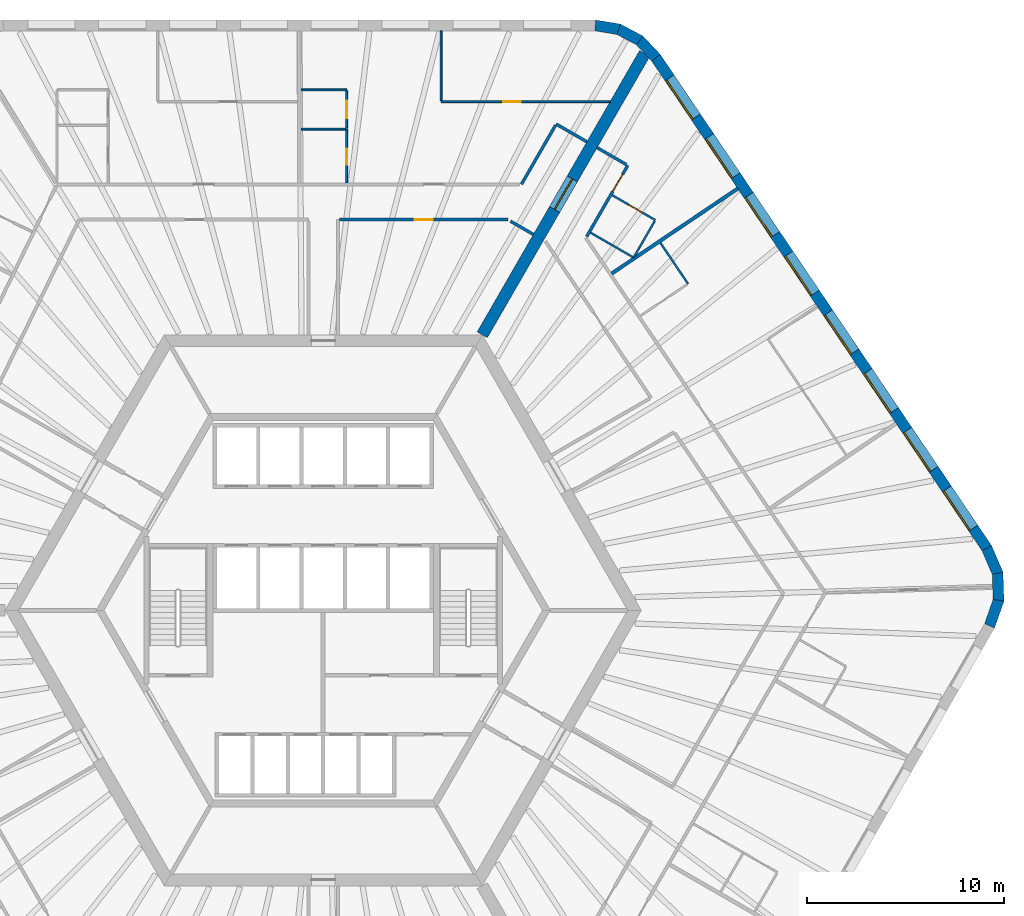
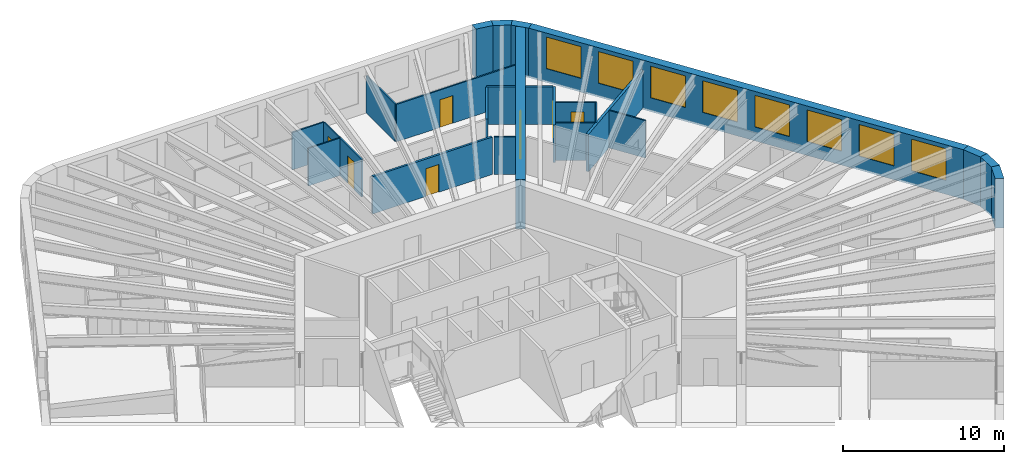
# One storey, part 10 of 12: 25 walls, 8 windows, 7 doors, 15 openings.
"""IFC4 building model written with IfcOpenShell, lengths in metres."""

from ifc_helpers import new_model, si_unit, direction, frame, frame_2d, origin, place, context, subcontext, project, spatial, polyline, rectangle, outline, extrude, material, layer, layer_set, type_object, element, fill, save


model = new_model("IFC4")

# Units and contexts
model_context = context("Model", 3, precision=1e-05, world=origin(), true_north=direction((0.0, 1.0)))
body_context = subcontext(model_context, "Body", "Model", "MODEL_VIEW")
ifc_project = project(units=[si_unit("LENGTHUNIT", "METRE"), si_unit("AREAUNIT", "SQUARE_METRE"), si_unit("VOLUMEUNIT", "CUBIC_METRE"), si_unit("PLANEANGLEUNIT", "RADIAN"), si_unit("MASSUNIT", "GRAM", prefix="KILO")], contexts=[model_context])

# Site, building, storey
site_placement = place(None, origin())
site = spatial("IfcSite", under=ifc_project, at=site_placement, CompositionType="ELEMENT")
building_placement = place(site_placement, origin())
building = spatial("IfcBuilding", under=site, at=building_placement, Name="Tarnside Tower", CompositionType="ELEMENT")
storey_placement = place(building_placement, frame((0.0, 0.0, 142.800048828125)))
storey = spatial("IfcBuildingStorey", under=building, at=storey_placement, Name="L33", CompositionType="ELEMENT", Elevation=142.800048828125)

# Wall, opening, door
ifc_material_1 = material(Name="Gypsum board partition on steel studs", Category="steel")
ifc_layer_1 = layer(ifc_material_1, 0.10009765625)
ifc_layer_set_1 = layer_set([ifc_layer_1], Name="Bathroom wall 100")
wall_type_1 = type_object("IfcWallType", Name="Bathroom wall 100", PredefinedType="PARTITIONING", material=ifc_layer_set_1)
wall_1_placement = place(storey_placement, frame((1.18896484375, 24.449951171875, 0.0), z_axis=(0.0, 0.0, 1.0), x_axis=(0.0, -1.0, 0.0)))
wall_1 = element("IfcWall", 1, at=wall_1_placement, inside=storey, type_object=wall_type_1, Name="Bathroom wall 10076", PredefinedType="PARTITIONING", context=body_context, shape_type="SweptSolid", body=[
    extrude(rectangle(XDim=2.724853515625, YDim=0.10009765625, at=frame_2d((1.3623046875, 0.0))), origin(), (0.0, 0.0, 1.0), 2.837646484375),
])
opening_1_placement = place(wall_1_placement, frame((1.0, 0.0, 0.0)))
opening_1 = element("IfcOpeningElement", 2, at=opening_1_placement, cuts=wall_1, Name="Opening D-B1", PredefinedType="OPENING", context=body_context, shape_type="SweptSolid", body=[
    extrude(rectangle(XDim=0.800048828125, YDim=2.10009765625, at=frame_2d((0.39990234375, 1.050048828125))), frame((0.0, 0.06005859375, 0.0), z_axis=(0.0, -1.0, 0.0), x_axis=(1.0, 0.0, 0.0)), (0.0, 0.0, 1.0), 0.1201171875),
])
ifc_material_2 = material(Name="Timber door leaf", Category="wood")
door_type_1 = type_object("IfcDoorType", Name="Bathroom door 800", OperationType="NOTDEFINED", PredefinedType="DOOR", material=ifc_material_2)
door_1_placement = place(opening_1_placement, origin())
door_1 = element("IfcDoor", 3, at=door_1_placement, inside=storey, type_object=door_type_1, Name="Bathroom door 10002", OperationType="SINGLE_SWING_LEFT", OverallHeight=2.10009765625, OverallWidth=0.800048828125, PredefinedType="DOOR", context=body_context, shape_type="SweptSolid", body=[
    extrude(rectangle(XDim=0.800048828125, YDim=2.10009765625, at=frame_2d((0.39990234375, 1.050048828125))), frame((0.0, 0.02490234375, 0.0), z_axis=(0.0, -1.0, 0.0), x_axis=(1.0, 0.0, 0.0)), (0.0, 0.0, 1.0), 0.050048828125),
])
fill(opening_1, door_1)

# Walls
wall_2_placement = place(storey_placement, frame((1.138916015625, 24.449951171875, 0.0), z_axis=(0.0, 0.0, 1.0), x_axis=(-1.0, 0.0, 0.0)))
element("IfcWall", 4, at=wall_2_placement, inside=storey, type_object=wall_type_1, Name="Bathroom wall 10082", PredefinedType="PARTITIONING", context=body_context, shape_type="SweptSolid", body=[
    extrude(rectangle(XDim=2.260009765625, YDim=0.10009765625, at=frame_2d((1.1298828125, 0.0))), origin(), (0.0, 0.0, 1.0), 2.837646484375),
])
wall_3_placement = place(storey_placement, frame((17.13720703125, 18.674560546875, 0.0), z_axis=(0.0, 0.0, 1.0), x_axis=(0.559203861497, -0.829030181168, 0.0)))
element("IfcWall", 5, at=wall_3_placement, inside=storey, type_object=wall_type_1, Name="Bathroom wall 10149", PredefinedType="PARTITIONING", context=body_context, shape_type="SweptSolid", body=[
    extrude(rectangle(XDim=2.510009765625, YDim=0.10009765625, at=frame_2d((1.2548828125, 0.0))), origin(), (0.0, 0.0, 1.0), 2.837646484375),
])

# Wall, opening, door
wall_4_placement = place(storey_placement, frame((14.6904296875, 21.094482421875, 0.0), z_axis=(0.0, 0.0, 1.0), x_axis=(0.866039067339, -0.499976333282, 0.0)))
wall_4 = element("IfcWall", 6, at=wall_4_placement, inside=storey, type_object=wall_type_1, Name="Bathroom wall 10155", PredefinedType="PARTITIONING", context=body_context, shape_type="SweptSolid", body=[
    extrude(rectangle(XDim=2.52490234375, YDim=0.10009765625, at=frame_2d((1.262451171875, 0.0))), origin(), (0.0, 0.0, 1.0), 2.837646484375),
])
opening_2_placement = place(wall_4_placement, frame((0.955078125, 0.0, 0.0)))
opening_2 = element("IfcOpeningElement", 7, at=opening_2_placement, cuts=wall_4, Name="Opening D-B1", PredefinedType="OPENING", context=body_context, shape_type="SweptSolid", body=[
    extrude(rectangle(XDim=0.800048828125, YDim=2.10009765625, at=frame_2d((0.39990234375, 1.050048828125))), frame((0.0, 0.06005859375, 0.0), z_axis=(0.0, -1.0, 0.0), x_axis=(1.0, 0.0, 0.0)), (0.0, 0.0, 1.0), 0.1201171875),
])
door_2_placement = place(opening_2_placement, origin())
door_2 = element("IfcDoor", 8, at=door_2_placement, inside=storey, type_object=door_type_1, Name="Bathroom door 10041", OperationType="SINGLE_SWING_LEFT", OverallHeight=2.10009765625, OverallWidth=0.800048828125, PredefinedType="DOOR", context=body_context, shape_type="SweptSolid", body=[
    extrude(rectangle(XDim=0.800048828125, YDim=2.10009765625, at=frame_2d((0.39990234375, 1.050048828125))), frame((0.0, 0.02490234375, 0.0), z_axis=(0.0, -1.0, 0.0), x_axis=(1.0, 0.0, 0.0)), (0.0, 0.0, 1.0), 0.050048828125),
])
fill(opening_2, door_2)

# Walls
wall_5_placement = place(storey_placement, frame((16.85205078125, 19.788818359375, 0.0), z_axis=(0.0, 0.0, 1.0), x_axis=(-0.499961633463, -0.866047553582, 0.0)))
element("IfcWall", 9, at=wall_5_placement, inside=storey, type_object=wall_type_1, Name="Bathroom wall 10156", PredefinedType="PARTITIONING", context=body_context, shape_type="SweptSolid", body=[
    extrude(rectangle(XDim=2.150146484375, YDim=0.10009765625, at=frame_2d((1.0751953125, 0.0))), origin(), (0.0, 0.0, 1.0), 2.837646484375),
])
wall_6_placement = place(storey_placement, frame((15.73388671875, 17.95166015625, 0.0), z_axis=(0.0, 0.0, 1.0), x_axis=(-0.866031185235, 0.4999899861, 0.0)))
element("IfcWall", 10, at=wall_6_placement, inside=storey, type_object=wall_type_1, Name="Bathroom wall 10157", PredefinedType="PARTITIONING", context=body_context, shape_type="SweptSolid", body=[
    extrude(rectangle(XDim=2.47509765625, YDim=0.10009765625, at=frame_2d((1.237548828125, 0.0))), origin(), (0.0, 0.0, 1.0), 2.837646484375),
])

# Wall, opening, door
ifc_material_3 = material(Name="Concrete C80/95", Category="concrete")
ifc_layer_2 = layer(ifc_material_3, 0.60009765625)
ifc_layer_set_2 = layer_set([ifc_layer_2], Name="Core wall Z1 600 C80/95")
wall_type_2 = type_object("IfcWallType", Name="Core wall Z1 600 C80/95", PredefinedType="SHEAR", material=ifc_layer_set_2)
wall_7_placement = place(storey_placement, frame((8.0830078125, 14.0, -0.150146484375), z_axis=(0.0, 0.0, 1.0), x_axis=(0.499997680643, 0.866026742862, 0.0)))
wall_7 = element("IfcWall", 11, at=wall_7_placement, inside=storey, type_object=wall_type_2, Name="L33 spine wall 1", PredefinedType="SHEAR", context=body_context, shape_type="SweptSolid", body=[
    extrude(rectangle(XDim=16.5087890625, YDim=0.60009765625, at=frame_2d((8.25439453125, 0.0))), origin(), (0.0, 0.0, 1.0), 3.75),
])
opening_3_placement = place(wall_7_placement, frame((7.3544921875, 0.0, 0.14990234375)))
opening_3 = element("IfcOpeningElement", 12, at=opening_3_placement, cuts=wall_7, Name="Opening CD-SPN", PredefinedType="OPENING", context=body_context, shape_type="SweptSolid", body=[
    extrude(rectangle(XDim=1.800048828125, YDim=2.39990234375, at=frame_2d((0.89990234375, 1.199951171875))), frame((0.0, 0.31005859375, 0.0), z_axis=(0.0, -1.0, 0.0), x_axis=(1.0, 0.0, 0.0)), (0.0, 0.0, 1.0), 0.6201171875),
])
ifc_material_4 = material(Name="Steel fire door", Category="steel")
door_type_2 = type_object("IfcDoorType", Name="Spine passage double door FD60 1800x2400", OperationType="NOTDEFINED", PredefinedType="DOOR", material=ifc_material_4)
door_3_placement = place(opening_3_placement, origin())
door_3 = element("IfcDoor", 13, at=door_3_placement, inside=storey, type_object=door_type_2, Name="L33 spine passage door 1", OperationType="DOUBLE_DOOR_SINGLE_SWING", OverallHeight=2.39990234375, OverallWidth=1.800048828125, PredefinedType="DOOR", context=body_context, shape_type="SweptSolid", body=[
    extrude(rectangle(XDim=1.800048828125, YDim=2.39990234375, at=frame_2d((0.89990234375, 1.199951171875))), frame((0.0, 0.02490234375, 0.0), z_axis=(0.0, -1.0, 0.0), x_axis=(1.0, 0.0, 0.0)), (0.0, 0.0, 1.0), 0.050048828125),
])
fill(opening_3, door_3)

# Walls
ifc_layer_3 = layer(ifc_material_1, 0.14990234375)
ifc_layer_set_3 = layer_set([ifc_layer_3], Name="Corridor wall 150 EI 60")
wall_type_3 = type_object("IfcWallType", Name="Corridor wall 150 EI 60", PredefinedType="PARTITIONING", material=ifc_layer_set_3)
wall_8_placement = place(storey_placement, frame((13.400390625, 23.81005859375, 0.0), z_axis=(0.0, 0.0, 1.0), x_axis=(-0.865989075817, 0.500062916607, 0.0)))
element("IfcWall", 14, at=wall_8_placement, inside=storey, type_object=wall_type_3, Name="Corridor wall 10001", PredefinedType="PARTITIONING", context=body_context, shape_type="SweptSolid", body=[
    extrude(rectangle(XDim=1.800048828125, YDim=0.14990234375, at=frame_2d((0.89990234375, 0.0))), origin(), (0.0, 0.0, 1.0), 2.837646484375),
])
wall_9_placement = place(storey_placement, frame((11.803955078125, 24.64501953125, 0.0), z_axis=(0.0, 0.0, 1.0), x_axis=(-0.500003541824, -0.866023358902, 0.0)))
element("IfcWall", 15, at=wall_9_placement, inside=storey, type_object=wall_type_3, Name="Corridor wall 10002", PredefinedType="PARTITIONING", context=body_context, shape_type="SweptSolid", body=[
    extrude(rectangle(XDim=3.45849609375, YDim=0.14990234375, at=frame_2d((1.729248046875, 0.0))), origin(), (0.0, 0.0, 1.0), 2.837646484375),
])

# Wall, opening, door
wall_10_placement = place(storey_placement, frame((0.824951171875, 19.85009765625, 0.0), z_axis=(0.0, 0.0, 1.0), x_axis=(1.0, 0.0, 0.0)))
wall_10 = element("IfcWall", 16, at=wall_10_placement, inside=storey, type_object=wall_type_3, Name="Corridor wall 10021", PredefinedType="PARTITIONING", context=body_context, shape_type="SweptSolid", body=[
    extrude(rectangle(XDim=8.564208984375, YDim=0.14990234375, at=frame_2d((4.2822265625, 0.0))), origin(), (0.0, 0.0, 1.0), 2.837646484375),
])
opening_4_placement = place(wall_10_placement, frame((3.83203125, 0.0, 0.0)))
opening_4 = element("IfcOpeningElement", 17, at=opening_4_placement, cuts=wall_10, Name="Opening D-S1", PredefinedType="OPENING", context=body_context, shape_type="SweptSolid", body=[
    extrude(rectangle(XDim=0.89990234375, YDim=2.10009765625, at=frame_2d((0.449951171875, 1.050048828125))), frame((0.0, 0.0849609375, 0.0), z_axis=(0.0, -1.0, 0.0), x_axis=(1.0, 0.0, 0.0)), (0.0, 0.0, 1.0), 0.169921875),
])
door_type_3 = type_object("IfcDoorType", Name="Service room door 900 FD30S", OperationType="NOTDEFINED", PredefinedType="DOOR", material=ifc_material_2)
door_4_placement = place(opening_4_placement, origin())
door_4 = element("IfcDoor", 18, at=door_4_placement, inside=storey, type_object=door_type_3, Name="Service door 10043", OperationType="SINGLE_SWING_RIGHT", OverallHeight=2.10009765625, OverallWidth=0.89990234375, PredefinedType="DOOR", context=body_context, shape_type="SweptSolid", body=[
    extrude(rectangle(XDim=0.89990234375, YDim=2.10009765625, at=frame_2d((0.449951171875, 1.050048828125))), frame((0.0, 0.02490234375, 0.0), z_axis=(0.0, -1.0, 0.0), x_axis=(1.0, 0.0, 0.0)), (0.0, 0.0, 1.0), 0.050048828125),
])
fill(opening_4, door_4)

# Wall
wall_11_placement = place(storey_placement, frame((9.51904296875, 19.77490234375, 0.0), z_axis=(0.0, 0.0, 1.0), x_axis=(0.866043397086, -0.499968833392, 0.0)))
element("IfcWall", 19, at=wall_11_placement, inside=storey, type_object=wall_type_3, Name="Corridor wall 10022", PredefinedType="PARTITIONING", context=body_context, shape_type="SweptSolid", body=[
    extrude(rectangle(XDim=1.34375, YDim=0.14990234375, at=frame_2d((0.671875, 0.0))), origin(), (0.0, 0.0, 1.0), 2.837646484375),
])

# Wall, opening, door
wall_12_placement = place(storey_placement, frame((13.39208984375, 18.995849609375, 0.0), z_axis=(0.0, 0.0, 1.0), x_axis=(0.499995902753, 0.866027769318, 0.0)))
wall_12 = element("IfcWall", 20, at=wall_12_placement, inside=storey, type_object=wall_type_3, Name="Corridor wall 10063", PredefinedType="PARTITIONING", context=body_context, shape_type="SweptSolid", body=[
    extrude(rectangle(XDim=4.17333984375, YDim=0.14990234375, at=frame_2d((2.086669921875, 0.0))), origin(), (0.0, 0.0, 1.0), 2.837646484375),
])
opening_5_placement = place(wall_12_placement, frame((2.64501953125, 0.0, 0.0)))
opening_5 = element("IfcOpeningElement", 21, at=opening_5_placement, cuts=wall_12, Name="Opening D-E1", PredefinedType="OPENING", context=body_context, shape_type="SweptSolid", body=[
    extrude(rectangle(XDim=1.0, YDim=2.10009765625, at=frame_2d((0.5, 1.050048828125))), frame((0.0, 0.0849609375, 0.0), z_axis=(0.0, -1.0, 0.0), x_axis=(1.0, 0.0, 0.0)), (0.0, 0.0, 1.0), 0.169921875),
])
door_type_4 = type_object("IfcDoorType", Name="Unit entrance door 1000 FD30S", OperationType="NOTDEFINED", PredefinedType="DOOR", material=ifc_material_2)
door_5_placement = place(opening_5_placement, origin())
door_5 = element("IfcDoor", 22, at=door_5_placement, inside=storey, type_object=door_type_4, Name="Unit door 10040", OperationType="SINGLE_SWING_LEFT", OverallHeight=2.10009765625, OverallWidth=1.0, PredefinedType="DOOR", context=body_context, shape_type="SweptSolid", body=[
    extrude(rectangle(XDim=1.0, YDim=2.10009765625, at=frame_2d((0.5, 1.050048828125))), frame((0.0, 0.02490234375, 0.0), z_axis=(0.0, -1.0, 0.0), x_axis=(1.0, 0.0, 0.0)), (0.0, 0.0, 1.0), 0.050048828125),
])
fill(opening_5, door_5)

# Walls
wall_13_placement = place(storey_placement, frame((15.413818359375, 22.647705078125, 0.0), z_axis=(0.0, 0.0, 1.0), x_axis=(-0.866074815912, 0.499914405916, 0.0)))
element("IfcWall", 23, at=wall_13_placement, inside=storey, type_object=wall_type_3, Name="Corridor wall 10065", PredefinedType="PARTITIONING", context=body_context, shape_type="SweptSolid", body=[
    extrude(rectangle(XDim=1.724853515625, YDim=0.14990234375, at=frame_2d((0.8623046875, 0.0))), origin(), (0.0, 0.0, 1.0), 2.837646484375),
])
ifc_layer_4 = layer(ifc_material_1, 0.179931640625)
ifc_layer_set_4 = layer_set([ifc_layer_4], Name="Demising wall 180 EI 60")
wall_type_4 = type_object("IfcWallType", Name="Demising wall 180 EI 60", PredefinedType="PARTITIONING", material=ifc_layer_set_4)
wall_14_placement = place(storey_placement, frame((21.066162109375, 21.433349609375, 0.0), z_axis=(0.0, 0.0, 1.0), x_axis=(-0.82903328576, -0.559199258853, 0.0)))
element("IfcWall", 24, at=wall_14_placement, inside=storey, type_object=wall_type_4, Name="Demising wall 10153", PredefinedType="PARTITIONING", context=body_context, shape_type="SweptSolid", body=[
    extrude(rectangle(XDim=7.72509765625, YDim=0.179931640625, at=frame_2d((3.862548828125, 0.0))), origin(), (0.0, 0.0, 1.0), 2.837646484375),
])
ifc_layer_5 = layer(ifc_material_1, 0.10009765625)
ifc_layer_set_5 = layer_set([ifc_layer_5], Name="Partition 100")
wall_type_5 = type_object("IfcWallType", Name="Partition 100", PredefinedType="PARTITIONING", material=ifc_layer_set_5)
wall_15_placement = place(storey_placement, frame((-1.12109375, 26.449951171875, 0.0), z_axis=(0.0, 0.0, 1.0), x_axis=(1.0, 0.0, 0.0)))
element("IfcWall", 25, at=wall_15_placement, inside=storey, type_object=wall_type_5, Name="Partition wall 10077", PredefinedType="PARTITIONING", context=body_context, shape_type="SweptSolid", body=[
    extrude(rectangle(XDim=2.31005859375, YDim=0.10009765625, at=frame_2d((1.155029296875, 0.0))), origin(), (0.0, 0.0, 1.0), 2.837646484375),
])

# Wall, opening, door
wall_16_placement = place(storey_placement, frame((1.18896484375, 26.39990234375, 0.0), z_axis=(0.0, 0.0, 1.0), x_axis=(0.0, -1.0, 0.0)))
wall_16 = element("IfcWall", 26, at=wall_16_placement, inside=storey, type_object=wall_type_5, Name="Partition wall 10078", PredefinedType="PARTITIONING", context=body_context, shape_type="SweptSolid", body=[
    extrude(rectangle(XDim=1.89990234375, YDim=0.10009765625, at=frame_2d((0.949951171875, 0.0))), origin(), (0.0, 0.0, 1.0), 2.837646484375),
])
opening_6_placement = place(wall_16_placement, frame((0.5, 0.0, 0.0)))
opening_6 = element("IfcOpeningElement", 27, at=opening_6_placement, cuts=wall_16, Name="Opening D-I1", PredefinedType="OPENING", context=body_context, shape_type="SweptSolid", body=[
    extrude(rectangle(XDim=0.89990234375, YDim=2.10009765625, at=frame_2d((0.449951171875, 1.050048828125))), frame((0.0, 0.06005859375, 0.0), z_axis=(0.0, -1.0, 0.0), x_axis=(1.0, 0.0, 0.0)), (0.0, 0.0, 1.0), 0.1201171875),
])
door_type_5 = type_object("IfcDoorType", Name="Internal door 900", OperationType="NOTDEFINED", PredefinedType="DOOR", material=ifc_material_2)
door_6_placement = place(opening_6_placement, origin())
door_6 = element("IfcDoor", 28, at=door_6_placement, inside=storey, type_object=door_type_5, Name="Internal door 10003", OperationType="SINGLE_SWING_LEFT", OverallHeight=2.10009765625, OverallWidth=0.89990234375, PredefinedType="DOOR", context=body_context, shape_type="SweptSolid", body=[
    extrude(rectangle(XDim=0.89990234375, YDim=2.10009765625, at=frame_2d((0.449951171875, 1.050048828125))), frame((0.0, 0.02490234375, 0.0), z_axis=(0.0, -1.0, 0.0), x_axis=(1.0, 0.0, 0.0)), (0.0, 0.0, 1.0), 0.050048828125),
])
fill(opening_6, door_6)

wall_17_placement = place(storey_placement, frame((14.578125, 25.85009765625, 0.0), z_axis=(0.0, 0.0, 1.0), x_axis=(-1.0, 0.0, 0.0)))
wall_17 = element("IfcWall", 29, at=wall_17_placement, inside=storey, type_object=wall_type_5, Name="Partition wall 10079", PredefinedType="PARTITIONING", context=body_context, shape_type="SweptSolid", body=[
    extrude(rectangle(XDim=8.589111328125, YDim=0.10009765625, at=frame_2d((4.29443359375, 0.0))), origin(), (0.0, 0.0, 1.0), 2.837646484375),
])
opening_7_placement = place(wall_17_placement, frame((4.5390625, 0.0, 0.0)))
opening_7 = element("IfcOpeningElement", 30, at=opening_7_placement, cuts=wall_17, Name="Opening D-I1", PredefinedType="OPENING", context=body_context, shape_type="SweptSolid", body=[
    extrude(rectangle(XDim=0.89990234375, YDim=2.10009765625, at=frame_2d((0.449951171875, 1.050048828125))), frame((0.0, 0.06005859375, 0.0), z_axis=(0.0, -1.0, 0.0), x_axis=(1.0, 0.0, 0.0)), (0.0, 0.0, 1.0), 0.1201171875),
])
door_7_placement = place(opening_7_placement, origin())
door_7 = element("IfcDoor", 31, at=door_7_placement, inside=storey, type_object=door_type_5, Name="Internal door 10004", OperationType="SINGLE_SWING_LEFT", OverallHeight=2.10009765625, OverallWidth=0.89990234375, PredefinedType="DOOR", context=body_context, shape_type="SweptSolid", body=[
    extrude(rectangle(XDim=0.89990234375, YDim=2.10009765625, at=frame_2d((0.449951171875, 1.050048828125))), frame((0.0, 0.02490234375, 0.0), z_axis=(0.0, -1.0, 0.0), x_axis=(1.0, 0.0, 0.0)), (0.0, 0.0, 1.0), 0.050048828125),
])
fill(opening_7, door_7)

# Walls
wall_18_placement = place(storey_placement, frame((5.989013671875, 25.89990234375, 0.0), z_axis=(0.0, 0.0, 1.0), x_axis=(0.0, 1.0, 0.0)))
element("IfcWall", 32, at=wall_18_placement, inside=storey, type_object=wall_type_5, Name="Partition wall 10080", PredefinedType="PARTITIONING", context=body_context, shape_type="SweptSolid", body=[
    extrude(rectangle(XDim=3.550048828125, YDim=0.10009765625, at=frame_2d((1.77490234375, 0.0))), origin(), (0.0, 0.0, 1.0), 2.837646484375),
])
ifc_material_5 = material(Name="Facing brick", Category="masonry")
ifc_layer_6 = layer(ifc_material_5, 0.10205078125)
ifc_material_6 = material(Name="Concrete C60/75 precast", Category="concrete")
ifc_layer_7 = layer(ifc_material_6, 0.347900390625)
ifc_material_7 = material(Name="Mineral wool insulation")
ifc_layer_8 = layer(ifc_material_7, 0.10009765625)
ifc_layer_set_6 = layer_set([ifc_layer_6, ifc_layer_7, ifc_layer_8], Name="Tube wall 550 brick faced")
wall_type_6 = type_object("IfcWallType", Name="Tube wall 550 brick faced", PredefinedType="SOLIDWALL", material=ifc_layer_set_6)
wall_19_placement = place(storey_placement, frame((33.865966796875, -0.79248046875, -0.150146484375), z_axis=(0.0, 0.0, 1.0), x_axis=(0.33111537203, 0.943590276765, 0.0)))
element("IfcWall", 33, at=wall_19_placement, inside=storey, type_object=wall_type_6, Name="Tube wall L33 F5 chord 17", PredefinedType="SOLIDWALL", context=body_context, shape_type="SweptSolid", body=[
    extrude(outline(polyline([(-0.025634765625, -0.27490234375), (1.4306640625, -0.27490234375), (1.3271484375, 0.27490234375), (0.025634765625, 0.27490234375), (-0.025634765625, -0.27490234375)])), origin(), (0.0, 0.0, 1.0), 3.75),
])
wall_20_placement = place(storey_placement, frame((34.322509765625, 0.508544921875, -0.150146484375), z_axis=(0.0, 0.0, 1.0), x_axis=(-0.034876908462, 0.999391615562, 0.0)))
element("IfcWall", 34, at=wall_20_placement, inside=storey, type_object=wall_type_6, Name="Tube wall L33 F5 chord 18", PredefinedType="SOLIDWALL", context=body_context, shape_type="SweptSolid", body=[
    extrude(outline(polyline([(-0.0517578125, -0.27490234375), (1.4306640625, -0.27490234375), (1.3271484375, 0.27490234375), (0.0517578125, 0.27490234375), (-0.0517578125, -0.27490234375)])), origin(), (0.0, 0.0, 1.0), 3.75),
])
wall_21_placement = place(storey_placement, frame((34.2744140625, 1.88671875, -0.150146484375), z_axis=(0.0, 0.0, 1.0), x_axis=(-0.396161342798, 0.918180913803, 0.0)))
element("IfcWall", 35, at=wall_21_placement, inside=storey, type_object=wall_type_6, Name="Tube wall L33 F5 chord 19", PredefinedType="SOLIDWALL", context=body_context, shape_type="SweptSolid", body=[
    extrude(outline(polyline([(-0.0517578125, -0.27490234375), (1.40478515625, -0.27490234375), (1.353515625, 0.27490234375), (0.0517578125, 0.27490234375), (-0.0517578125, -0.27490234375)])), origin(), (0.0, 0.0, 1.0), 3.75),
])

# Wall, openings, windows
wall_22_placement = place(storey_placement, frame((33.72802734375, 3.153076171875, -0.150146484375), z_axis=(0.0, 0.0, 1.0), x_axis=(-0.559192411416, 0.82903790445, 0.0)))
wall_22 = element("IfcWall", 36, at=wall_22_placement, inside=storey, type_object=wall_type_6, Name="Tube wall L33 F6 flush 20", PredefinedType="SOLIDWALL", context=body_context, shape_type="SweptSolid", body=[
    extrude(outline(polyline([(-0.025634765625, -0.27490234375), (30.09326171875, -0.27490234375), (30.04833984375, 0.27490234375), (0.025634765625, 0.27490234375), (-0.025634765625, -0.27490234375)])), origin(), (0.0, 0.0, 1.0), 3.75),
])
opening_8_placement = place(wall_22_placement, frame((1.235595703125, 0.0, 1.050048828125)))
opening_8 = element("IfcOpeningElement", 37, at=opening_8_placement, cuts=wall_22, Name="Opening WH", PredefinedType="OPENING", context=body_context, shape_type="SweptSolid", body=[
    extrude(rectangle(XDim=2.39990234375, YDim=2.39990234375, at=frame_2d((1.199951171875, 1.199951171875))), frame((0.0, 0.28515625, 0.0), z_axis=(0.0, -1.0, 0.0), x_axis=(1.0, 0.0, 0.0)), (0.0, 0.0, 1.0), 0.570068359375),
])
opening_9_placement = place(wall_22_placement, frame((4.83544921875, 0.0, 1.050048828125)))
opening_9 = element("IfcOpeningElement", 38, at=opening_9_placement, cuts=wall_22, Name="Opening WH", PredefinedType="OPENING", context=body_context, shape_type="SweptSolid", body=[
    extrude(rectangle(XDim=2.39990234375, YDim=2.39990234375, at=frame_2d((1.199951171875, 1.199951171875))), frame((0.0, 0.28515625, 0.0), z_axis=(0.0, -1.0, 0.0), x_axis=(1.0, 0.0, 0.0)), (0.0, 0.0, 1.0), 0.570068359375),
])
opening_10_placement = place(wall_22_placement, frame((8.435546875, 0.0, 1.050048828125)))
opening_10 = element("IfcOpeningElement", 39, at=opening_10_placement, cuts=wall_22, Name="Opening WH", PredefinedType="OPENING", context=body_context, shape_type="SweptSolid", body=[
    extrude(rectangle(XDim=2.39990234375, YDim=2.39990234375, at=frame_2d((1.199951171875, 1.199951171875))), frame((0.0, 0.28515625, 0.0), z_axis=(0.0, -1.0, 0.0), x_axis=(1.0, 0.0, 0.0)), (0.0, 0.0, 1.0), 0.570068359375),
])
opening_11_placement = place(wall_22_placement, frame((12.035400390625, 0.0, 1.050048828125)))
opening_11 = element("IfcOpeningElement", 40, at=opening_11_placement, cuts=wall_22, Name="Opening WH", PredefinedType="OPENING", context=body_context, shape_type="SweptSolid", body=[
    extrude(rectangle(XDim=2.39990234375, YDim=2.39990234375, at=frame_2d((1.199951171875, 1.199951171875))), frame((0.0, 0.28515625, 0.0), z_axis=(0.0, -1.0, 0.0), x_axis=(1.0, 0.0, 0.0)), (0.0, 0.0, 1.0), 0.570068359375),
])
opening_12_placement = place(wall_22_placement, frame((15.635498046875, 0.0, 1.050048828125)))
opening_12 = element("IfcOpeningElement", 41, at=opening_12_placement, cuts=wall_22, Name="Opening WH", PredefinedType="OPENING", context=body_context, shape_type="SweptSolid", body=[
    extrude(rectangle(XDim=2.39990234375, YDim=2.39990234375, at=frame_2d((1.199951171875, 1.199951171875))), frame((0.0, 0.28515625, 0.0), z_axis=(0.0, -1.0, 0.0), x_axis=(1.0, 0.0, 0.0)), (0.0, 0.0, 1.0), 0.570068359375),
])
opening_13_placement = place(wall_22_placement, frame((19.235595703125, 0.0, 1.050048828125)))
opening_13 = element("IfcOpeningElement", 42, at=opening_13_placement, cuts=wall_22, Name="Opening WH", PredefinedType="OPENING", context=body_context, shape_type="SweptSolid", body=[
    extrude(rectangle(XDim=2.39990234375, YDim=2.39990234375, at=frame_2d((1.199951171875, 1.199951171875))), frame((0.0, 0.28515625, 0.0), z_axis=(0.0, -1.0, 0.0), x_axis=(1.0, 0.0, 0.0)), (0.0, 0.0, 1.0), 0.570068359375),
])
opening_14_placement = place(wall_22_placement, frame((22.83544921875, 0.0, 1.050048828125)))
opening_14 = element("IfcOpeningElement", 43, at=opening_14_placement, cuts=wall_22, Name="Opening WH", PredefinedType="OPENING", context=body_context, shape_type="SweptSolid", body=[
    extrude(rectangle(XDim=2.39990234375, YDim=2.39990234375, at=frame_2d((1.199951171875, 1.199951171875))), frame((0.0, 0.28515625, 0.0), z_axis=(0.0, -1.0, 0.0), x_axis=(1.0, 0.0, 0.0)), (0.0, 0.0, 1.0), 0.570068359375),
])
opening_15_placement = place(wall_22_placement, frame((26.435546875, 0.0, 1.050048828125)))
opening_15 = element("IfcOpeningElement", 44, at=opening_15_placement, cuts=wall_22, Name="Opening WH", PredefinedType="OPENING", context=body_context, shape_type="SweptSolid", body=[
    extrude(rectangle(XDim=2.39990234375, YDim=2.39990234375, at=frame_2d((1.199951171875, 1.199951171875))), frame((0.0, 0.28515625, 0.0), z_axis=(0.0, -1.0, 0.0), x_axis=(1.0, 0.0, 0.0)), (0.0, 0.0, 1.0), 0.570068359375),
])
ifc_material_8 = material(Name="Aluminium-framed double glazing", Category="aluminium")
window_type = type_object("IfcWindowType", Name="Hotel window 2400 x 2400", PartitioningType="DOUBLE_PANEL_VERTICAL", PredefinedType="WINDOW", material=ifc_material_8)
window_1_placement = place(opening_8_placement, frame((0.0, 0.205078125, 0.0)))
window_1 = element("IfcWindow", 45, at=window_1_placement, inside=storey, type_object=window_type, Name="E.WN.L33.F6.00", OverallHeight=2.39990234375, OverallWidth=2.39990234375, PartitioningType="DOUBLE_PANEL_VERTICAL", PredefinedType="WINDOW", context=body_context, shape_type="SweptSolid", body=[
    extrude(rectangle(XDim=2.39990234375, YDim=2.39990234375, at=frame_2d((1.199951171875, 1.199951171875))), frame((0.0, 0.030029296875, 0.0), z_axis=(0.0, -1.0, 0.0), x_axis=(1.0, 0.0, 0.0)), (0.0, 0.0, 1.0), 0.06005859375),
])
fill(opening_8, window_1)
window_2_placement = place(opening_9_placement, frame((0.0, 0.205078125, 0.0)))
window_2 = element("IfcWindow", 46, at=window_2_placement, inside=storey, type_object=window_type, Name="E.WN.L33.F6.01", OverallHeight=2.39990234375, OverallWidth=2.39990234375, PartitioningType="DOUBLE_PANEL_VERTICAL", PredefinedType="WINDOW", context=body_context, shape_type="SweptSolid", body=[
    extrude(rectangle(XDim=2.39990234375, YDim=2.39990234375, at=frame_2d((1.199951171875, 1.199951171875))), frame((0.0, 0.030029296875, 0.0), z_axis=(0.0, -1.0, 0.0), x_axis=(1.0, 0.0, 0.0)), (0.0, 0.0, 1.0), 0.06005859375),
])
fill(opening_9, window_2)
window_3_placement = place(opening_10_placement, frame((0.0, 0.205078125, 0.0)))
window_3 = element("IfcWindow", 47, at=window_3_placement, inside=storey, type_object=window_type, Name="E.WN.L33.F6.02", OverallHeight=2.39990234375, OverallWidth=2.39990234375, PartitioningType="DOUBLE_PANEL_VERTICAL", PredefinedType="WINDOW", context=body_context, shape_type="SweptSolid", body=[
    extrude(rectangle(XDim=2.39990234375, YDim=2.39990234375, at=frame_2d((1.199951171875, 1.199951171875))), frame((0.0, 0.030029296875, 0.0), z_axis=(0.0, -1.0, 0.0), x_axis=(1.0, 0.0, 0.0)), (0.0, 0.0, 1.0), 0.06005859375),
])
fill(opening_10, window_3)
window_4_placement = place(opening_11_placement, frame((0.0, 0.205078125, 0.0)))
window_4 = element("IfcWindow", 48, at=window_4_placement, inside=storey, type_object=window_type, Name="E.WN.L33.F6.03", OverallHeight=2.39990234375, OverallWidth=2.39990234375, PartitioningType="DOUBLE_PANEL_VERTICAL", PredefinedType="WINDOW", context=body_context, shape_type="SweptSolid", body=[
    extrude(rectangle(XDim=2.39990234375, YDim=2.39990234375, at=frame_2d((1.199951171875, 1.199951171875))), frame((0.0, 0.030029296875, 0.0), z_axis=(0.0, -1.0, 0.0), x_axis=(1.0, 0.0, 0.0)), (0.0, 0.0, 1.0), 0.06005859375),
])
fill(opening_11, window_4)
window_5_placement = place(opening_12_placement, frame((0.0, 0.205078125, 0.0)))
window_5 = element("IfcWindow", 49, at=window_5_placement, inside=storey, type_object=window_type, Name="E.WN.L33.F6.04", OverallHeight=2.39990234375, OverallWidth=2.39990234375, PartitioningType="DOUBLE_PANEL_VERTICAL", PredefinedType="WINDOW", context=body_context, shape_type="SweptSolid", body=[
    extrude(rectangle(XDim=2.39990234375, YDim=2.39990234375, at=frame_2d((1.199951171875, 1.199951171875))), frame((0.0, 0.030029296875, 0.0), z_axis=(0.0, -1.0, 0.0), x_axis=(1.0, 0.0, 0.0)), (0.0, 0.0, 1.0), 0.06005859375),
])
fill(opening_12, window_5)
window_6_placement = place(opening_13_placement, frame((0.0, 0.205078125, 0.0)))
window_6 = element("IfcWindow", 50, at=window_6_placement, inside=storey, type_object=window_type, Name="E.WN.L33.F6.05", OverallHeight=2.39990234375, OverallWidth=2.39990234375, PartitioningType="DOUBLE_PANEL_VERTICAL", PredefinedType="WINDOW", context=body_context, shape_type="SweptSolid", body=[
    extrude(rectangle(XDim=2.39990234375, YDim=2.39990234375, at=frame_2d((1.199951171875, 1.199951171875))), frame((0.0, 0.030029296875, 0.0), z_axis=(0.0, -1.0, 0.0), x_axis=(1.0, 0.0, 0.0)), (0.0, 0.0, 1.0), 0.06005859375),
])
fill(opening_13, window_6)
window_7_placement = place(opening_14_placement, frame((0.0, 0.205078125, 0.0)))
window_7 = element("IfcWindow", 51, at=window_7_placement, inside=storey, type_object=window_type, Name="E.WN.L33.F6.06", OverallHeight=2.39990234375, OverallWidth=2.39990234375, PartitioningType="DOUBLE_PANEL_VERTICAL", PredefinedType="WINDOW", context=body_context, shape_type="SweptSolid", body=[
    extrude(rectangle(XDim=2.39990234375, YDim=2.39990234375, at=frame_2d((1.199951171875, 1.199951171875))), frame((0.0, 0.030029296875, 0.0), z_axis=(0.0, -1.0, 0.0), x_axis=(1.0, 0.0, 0.0)), (0.0, 0.0, 1.0), 0.06005859375),
])
fill(opening_14, window_7)
window_8_placement = place(opening_15_placement, frame((0.0, 0.205078125, 0.0)))
window_8 = element("IfcWindow", 52, at=window_8_placement, inside=storey, type_object=window_type, Name="E.WN.L33.F6.07", OverallHeight=2.39990234375, OverallWidth=2.39990234375, PartitioningType="DOUBLE_PANEL_VERTICAL", PredefinedType="WINDOW", context=body_context, shape_type="SweptSolid", body=[
    extrude(rectangle(XDim=2.39990234375, YDim=2.39990234375, at=frame_2d((1.199951171875, 1.199951171875))), frame((0.0, 0.030029296875, 0.0), z_axis=(0.0, -1.0, 0.0), x_axis=(1.0, 0.0, 0.0)), (0.0, 0.0, 1.0), 0.06005859375),
])
fill(opening_15, window_8)

# Walls
wall_23_placement = place(storey_placement, frame((16.91259765625, 28.0830078125, -0.150146484375), z_axis=(0.0, 0.0, 1.0), x_axis=(-0.686196220404, 0.727416488061, 0.0)))
element("IfcWall", 53, at=wall_23_placement, inside=storey, type_object=wall_type_6, Name="Tube wall L33 F6 chord 21", PredefinedType="SOLIDWALL", context=body_context, shape_type="SweptSolid", body=[
    extrude(outline(polyline([(-0.0224609375, -0.27490234375), (1.25341796875, -0.27490234375), (1.1630859375, 0.27490234375), (0.0224609375, 0.27490234375), (-0.0224609375, -0.27490234375)])), origin(), (0.0, 0.0, 1.0), 3.75),
])
wall_24_placement = place(storey_placement, frame((16.08349609375, 28.9619140625, -0.150146484375), z_axis=(0.0, 0.0, 1.0), x_axis=(-0.882995347911, 0.469381737574, 0.0)))
element("IfcWall", 54, at=wall_24_placement, inside=storey, type_object=wall_type_6, Name="Tube wall L33 F6 chord 22", PredefinedType="SOLIDWALL", context=body_context, shape_type="SweptSolid", body=[
    extrude(outline(polyline([(-0.045166015625, -0.27490234375), (1.25341796875, -0.27490234375), (1.1630859375, 0.27490234375), (0.045166015625, 0.27490234375), (-0.045166015625, -0.27490234375)])), origin(), (0.0, 0.0, 1.0), 3.75),
])
wall_25_placement = place(storey_placement, frame((15.0166015625, 29.529052734375, -0.150146484375), z_axis=(0.0, 0.0, 1.0), x_axis=(-0.986746625868, 0.162268593195, 0.0)))
element("IfcWall", 55, at=wall_25_placement, inside=storey, type_object=wall_type_6, Name="Tube wall L33 F6 chord 23", PredefinedType="SOLIDWALL", context=body_context, shape_type="SweptSolid", body=[
    extrude(outline(polyline([(-0.045166015625, -0.27490234375), (1.230712890625, -0.27490234375), (1.185791015625, 0.27490234375), (0.045166015625, 0.27490234375), (-0.045166015625, -0.27490234375)])), origin(), (0.0, 0.0, 1.0), 3.75),
])

save(model, "model.ifc")
